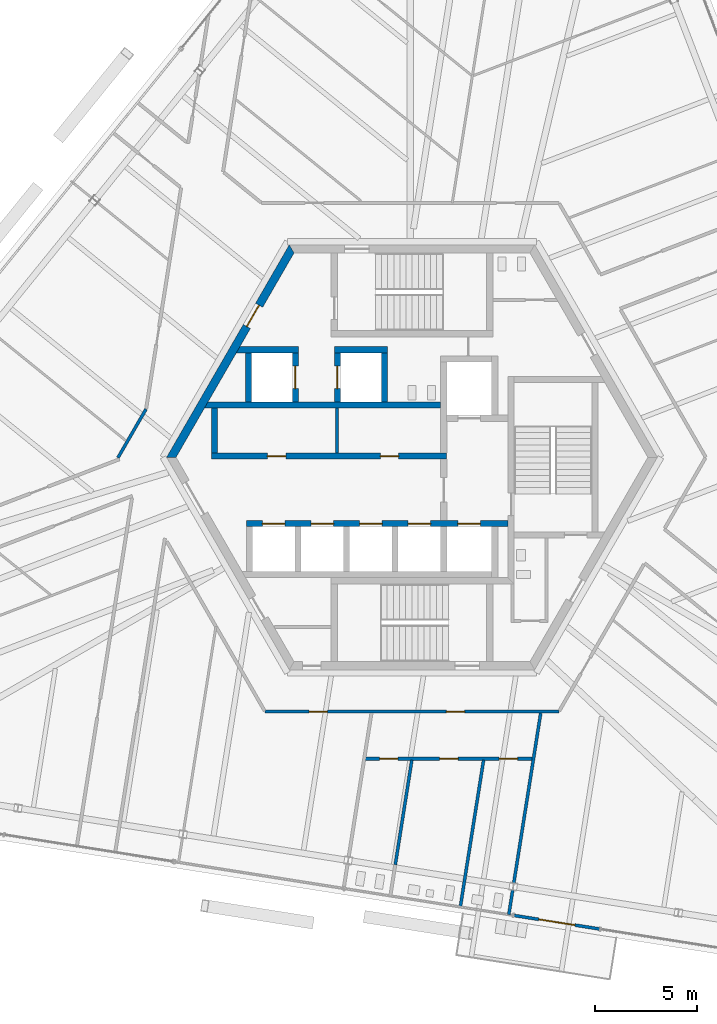
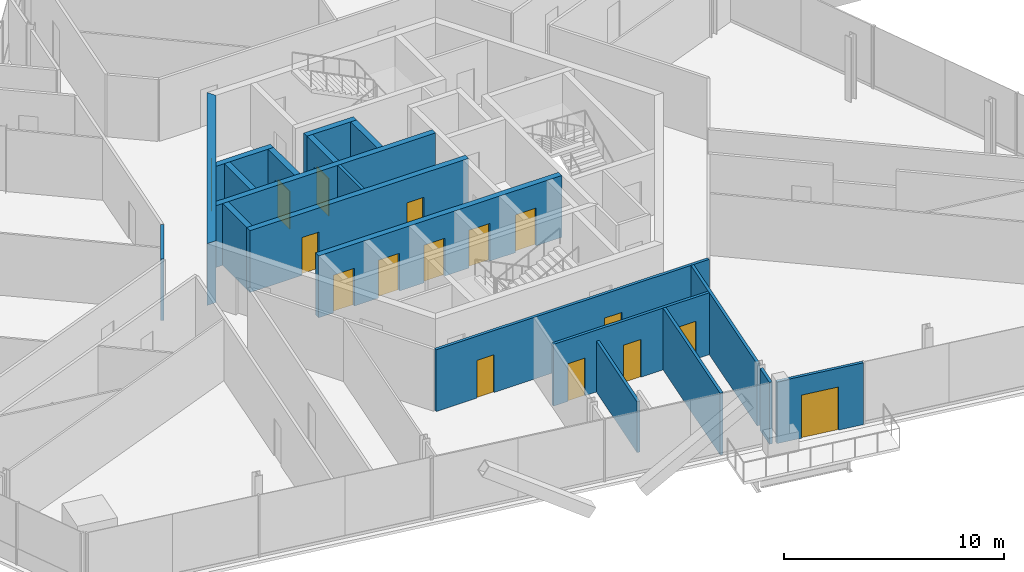
# One storey, part 11 of 18: 20 walls, 16 doors, 16 openings.
"""IFC4 building model written with IfcOpenShell, lengths in metres."""

from ifc_helpers import new_model, si_unit, direction, frame, frame_2d, origin, place, context, subcontext, project, spatial, polyline, rectangle, outline, extrude, source, transform, mapped, material, layer, layer_set, type_object, element, fill, save


model = new_model("IFC4")

# Units and contexts
model_context = context("Model", 3, precision=1e-05, world=origin(), true_north=direction((0.0, 1.0)))
body_context = subcontext(model_context, "Body", "Model", "MODEL_VIEW")
ifc_project = project(units=[si_unit("LENGTHUNIT", "METRE"), si_unit("AREAUNIT", "SQUARE_METRE"), si_unit("VOLUMEUNIT", "CUBIC_METRE"), si_unit("PLANEANGLEUNIT", "RADIAN"), si_unit("MASSUNIT", "GRAM", prefix="KILO")], contexts=[model_context])

# Site, building, storey
site_placement = place(None, origin())
site = spatial("IfcSite", under=ifc_project, at=site_placement, CompositionType="ELEMENT")
building_placement = place(site_placement, origin())
building = spatial("IfcBuilding", under=site, at=building_placement, Name="Triune Harvest Tower", CompositionType="ELEMENT")
storey_placement = place(building_placement, frame((0.0, 0.0, 156.89990234375)))
storey = spatial("IfcBuildingStorey", under=building, at=storey_placement, Name="L40", CompositionType="ELEMENT", Elevation=156.89990234375)

# Wall, openings, doors
ifc_material_1 = material(Name="Gypsum board on steel studs", Category="steel")
ifc_layer_1 = layer(ifc_material_1, 0.14990234375)
ifc_layer_set_1 = layer_set([ifc_layer_1], Name="Gypsum board on steel studs")
wall_type_1 = type_object("IfcWallType", Name="Fire Partition 150 mm", PredefinedType="PARTITIONING", material=ifc_layer_set_1)
wall_1_placement = place(storey_placement, frame((-2.3349609375, -14.7421875, 0.0), z_axis=(0.0, 0.0, 1.0), x_axis=(1.0, 0.0, 0.0)))
wall_1 = element("IfcWall", 1, at=wall_1_placement, inside=storey, type_object=wall_type_1, Name="Partition L40 024", PredefinedType="PARTITIONING", context=body_context, shape_type="SweptSolid", body=[
    extrude(rectangle(XDim=8.206787109375, YDim=0.14990234375, at=frame_2d((4.103515625, 0.0))), origin(), (0.0, 0.0, 1.0), 3.440185546875),
])
opening_1_placement = place(wall_1_placement, frame((0.75, 0.0, 0.0)))
opening_1 = element("IfcOpeningElement", 2, at=opening_1_placement, cuts=wall_1, Name="Opening L40-023", PredefinedType="OPENING", context=body_context, shape_type="SweptSolid", body=[
    extrude(rectangle(XDim=0.89990234375, YDim=2.10009765625, at=frame_2d((0.449951171875, 1.050048828125))), frame((0.0, 0.0849609375, 0.0), z_axis=(0.0, -1.0, 0.0), x_axis=(1.0, 0.0, 0.0)), (0.0, 0.0, 1.0), 0.169921875),
])
opening_2_placement = place(wall_1_placement, frame((3.688720703125, 0.0, 0.0)))
opening_2 = element("IfcOpeningElement", 3, at=opening_2_placement, cuts=wall_1, Name="Opening L40-024", PredefinedType="OPENING", context=body_context, shape_type="SweptSolid", body=[
    extrude(rectangle(XDim=0.89990234375, YDim=2.10009765625, at=frame_2d((0.449951171875, 1.050048828125))), frame((0.0, 0.0849609375, 0.0), z_axis=(0.0, -1.0, 0.0), x_axis=(1.0, 0.0, 0.0)), (0.0, 0.0, 1.0), 0.169921875),
])
opening_3_placement = place(wall_1_placement, frame((6.596923828125, 0.0, 0.0)))
opening_3 = element("IfcOpeningElement", 4, at=opening_3_placement, cuts=wall_1, Name="Opening L40-025", PredefinedType="OPENING", context=body_context, shape_type="SweptSolid", body=[
    extrude(rectangle(XDim=0.89990234375, YDim=2.10009765625, at=frame_2d((0.449951171875, 1.050048828125))), frame((0.0, 0.0849609375, 0.0), z_axis=(0.0, -1.0, 0.0), x_axis=(1.0, 0.0, 0.0)), (0.0, 0.0, 1.0), 0.169921875),
])
ifc_material_2 = material(Name="Timber and steel door set", Category="steel")
door_type_1 = type_object("IfcDoorType", Name="Single leaf door FD30 left hand 900 x 2100", OperationType="SINGLE_SWING_LEFT", PredefinedType="DOOR", material=ifc_material_2)
door_1_placement = place(opening_2_placement, origin())
door_1 = element("IfcDoor", 5, at=door_1_placement, inside=storey, type_object=door_type_1, Name="Door L40-024 Men's WC 40.24", OperationType="SINGLE_SWING_LEFT", OverallHeight=2.10009765625, OverallWidth=0.89990234375, PredefinedType="DOOR", context=body_context, shape_type="SweptSolid", body=[
    extrude(rectangle(XDim=0.89990234375, YDim=2.10009765625, at=frame_2d((0.449951171875, 1.050048828125))), frame((0.0, 0.02490234375, 0.0), z_axis=(0.0, -1.0, 0.0), x_axis=(1.0, 0.0, 0.0)), (0.0, 0.0, 1.0), 0.050048828125),
])
fill(opening_2, door_1)
door_2_placement = place(opening_3_placement, origin())
door_2 = element("IfcDoor", 6, at=door_2_placement, inside=storey, type_object=door_type_1, Name="Door L40-025 Accessible WC 40.25", OperationType="SINGLE_SWING_LEFT", OverallHeight=2.10009765625, OverallWidth=0.89990234375, PredefinedType="DOOR", context=body_context, shape_type="SweptSolid", body=[
    extrude(rectangle(XDim=0.89990234375, YDim=2.10009765625, at=frame_2d((0.449951171875, 1.050048828125))), frame((0.0, 0.02490234375, 0.0), z_axis=(0.0, -1.0, 0.0), x_axis=(1.0, 0.0, 0.0)), (0.0, 0.0, 1.0), 0.050048828125),
])
fill(opening_3, door_2)
ifc_material_3 = material(Name="Timber and steel door set", Category="steel")
door_type_2 = type_object("IfcDoorType", Name="Single leaf door FD30 right hand 900 x 2100", OperationType="SINGLE_SWING_RIGHT", PredefinedType="DOOR", material=ifc_material_3)
door_3_placement = place(opening_1_placement, origin())
door_3 = element("IfcDoor", 7, at=door_3_placement, inside=storey, type_object=door_type_2, Name="Door L40-023 Women's WC 40.23", OperationType="SINGLE_SWING_RIGHT", OverallHeight=2.10009765625, OverallWidth=0.89990234375, PredefinedType="DOOR", context=body_context, shape_type="SweptSolid", body=[
    extrude(rectangle(XDim=0.89990234375, YDim=2.10009765625, at=frame_2d((0.449951171875, 1.050048828125))), frame((0.0, 0.02490234375, 0.0), z_axis=(0.0, -1.0, 0.0), x_axis=(1.0, 0.0, 0.0)), (0.0, 0.0, 1.0), 0.050048828125),
])
fill(opening_1, door_3)

# Walls
wall_2_placement = place(storey_placement, frame((-14.380615234375, -0.023193359375, 0.0), z_axis=(0.0, 0.0, 1.0), x_axis=(0.50002270823, 0.866012292785, 0.0)))
element("IfcWall", 8, at=wall_2_placement, inside=storey, type_object=wall_type_1, Name="Partition L40 041", PredefinedType="PARTITIONING", context=body_context, shape_type="SweptSolid", body=[
    extrude(rectangle(XDim=2.744873046875, YDim=0.14990234375, at=frame_2d((1.37255859375, 0.0))), origin(), (0.0, 0.0, 1.0), 3.440185546875),
])
wall_3_placement = place(storey_placement, frame((4.9794921875, -20.820556640625, 0.0), z_axis=(0.0, 0.0, 1.0), x_axis=(0.156421554245, 0.987690385378, 0.0)))
element("IfcWall", 9, at=wall_3_placement, inside=storey, type_object=wall_type_1, Name="Partition L40 043", PredefinedType="PARTITIONING", context=body_context, shape_type="SweptSolid", body=[
    extrude(rectangle(XDim=8.41259765625, YDim=0.14990234375, at=frame_2d((4.206298828125, 0.0))), origin(), (0.0, 0.0, 1.0), 3.440185546875),
])
wall_4_placement = place(storey_placement, frame((2.364013671875, -21.9912109375, 0.0), z_axis=(0.0, 0.0, 1.0), x_axis=(0.156436823772, 0.987687967006, 0.0)))
element("IfcWall", 10, at=wall_4_placement, inside=storey, type_object=wall_type_1, Name="Partition L40 044", PredefinedType="PARTITIONING", context=body_context, shape_type="SweptSolid", body=[
    extrude(rectangle(XDim=7.26953125, YDim=0.14990234375, at=frame_2d((3.634765625, 0.0))), origin(), (0.0, 0.0, 1.0), 3.440185546875),
])
wall_5_placement = place(storey_placement, frame((-0.8173828125, -19.927001953125, 0.0), z_axis=(0.0, 0.0, 1.0), x_axis=(0.156444233428, 0.987686793385, 0.0)))
element("IfcWall", 11, at=wall_5_placement, inside=storey, type_object=wall_type_1, Name="Partition L40 045a", PredefinedType="PARTITIONING", context=body_context, shape_type="SweptSolid", body=[
    extrude(rectangle(XDim=5.179443359375, YDim=0.14990234375, at=frame_2d((2.58984375, 0.0))), origin(), (0.0, 0.0, 1.0), 2.827880859375),
])

# Wall, opening, door
ifc_material_4 = material(Name="Aluminium bronze anodised", Category="aluminium")
ifc_layer_2 = layer(ifc_material_4, 0.14990234375)
ifc_layer_set_2 = layer_set([ifc_layer_2], Name="Aluminium bronze anodised")
wall_type_2 = type_object("IfcWallType", Name="WW-2 balcony window wall", PredefinedType="ELEMENTEDWALL", material=ifc_layer_set_2)
wall_6_placement = place(storey_placement, frame((9.16748046875, -23.06884765625, 0.0), z_axis=(0.0, 0.0, 1.0), x_axis=(-0.987685937385, 0.156449637561, 0.0)))
wall_6 = element("IfcWall", 12, at=wall_6_placement, inside=storey, type_object=wall_type_2, Name="WW-2 B4-F5 L40.9", PredefinedType="ELEMENTEDWALL", context=body_context, shape_type="SweptSolid", body=[
    extrude(rectangle(XDim=4.22119140625, YDim=0.14990234375, at=frame_2d((2.110595703125, 0.0))), origin(), (0.0, 0.0, 1.0), 3.440185546875),
])
opening_4_placement = place(wall_6_placement, frame((1.21044921875, 0.0, 0.0)))
opening_4 = element("IfcOpeningElement", 13, at=opening_4_placement, cuts=wall_6, Name="Opening L40-E02", PredefinedType="OPENING", context=body_context, shape_type="SweptSolid", body=[
    extrude(rectangle(XDim=1.800048828125, YDim=2.39990234375, at=frame_2d((0.89990234375, 1.199951171875))), frame((0.0, 0.0849609375, 0.0), z_axis=(0.0, -1.0, 0.0), x_axis=(1.0, 0.0, 0.0)), (0.0, 0.0, 1.0), 0.169921875),
])
ifc_material_5 = material(Name="Glass", Category="glass")
door_type_3 = type_object("IfcDoorType", Name="DB-1 balcony door 1800 x 2400", OperationType="DOUBLE_DOOR_SINGLE_SWING", PredefinedType="DOOR", material=ifc_material_5)
door_4_placement = place(opening_4_placement, origin())
door_4 = element("IfcDoor", 14, at=door_4_placement, inside=storey, type_object=door_type_3, Name="Door L40-E02", OperationType="DOUBLE_DOOR_SINGLE_SWING", OverallHeight=2.39990234375, OverallWidth=1.800048828125, PredefinedType="DOOR", context=body_context, shape_type="SweptSolid", body=[
    extrude(rectangle(XDim=1.800048828125, YDim=2.39990234375, at=frame_2d((0.89990234375, 1.199951171875))), frame((0.0, 0.02490234375, 0.0), z_axis=(0.0, -1.0, 0.0), x_axis=(1.0, 0.0, 0.0)), (0.0, 0.0, 1.0), 0.050048828125),
])
fill(opening_4, door_4)

ifc_material_6 = material(Name="Concrete 70 MPa", Category="concrete")
ifc_layer_3 = layer(ifc_material_6, 0.39990234375)
ifc_layer_set_3 = layer_set([ifc_layer_3], Name="Concrete 70 MPa")
wall_type_3 = type_object("IfcWallType", Name="Core wall 400", PredefinedType="SHEAR", material=ifc_layer_set_3)
shared_shape_1 = source(origin(), body_context, "Body", "SweptSolid", [
    extrude(outline(polyline([(-0.115478515625, -0.199951171875), (11.884521484375, -0.199951171875), (11.653564453125, 0.199951171875), (0.115478515625, 0.199951171875), (-0.115478515625, -0.199951171875)])), origin(), (0.0, 0.0, 1.0), 3.440185546875),
])
wall_7_placement = place(storey_placement, frame((-5.884521484375, 10.1923828125, 0.0), z_axis=(0.0, 0.0, 1.0), x_axis=(-0.499996592174, -0.866027371285, 0.0)))
wall_7 = element("IfcWall", 15, at=wall_7_placement, inside=storey, type_object=wall_type_3, Name="Hexagon 2 wall", PredefinedType="SHEAR", context=body_context, shape_type="MappedRepresentation", body=[
    mapped(shared_shape_1, transform((0.0, 0.0, 0.0), scale=1.0)),
])
opening_5_placement = place(wall_7_placement, frame((3.1845703125, 0.0, 0.0)))
opening_5 = element("IfcOpeningElement", 16, at=opening_5_placement, cuts=wall_7, Name="Opening CD-SVP", PredefinedType="OPENING", context=body_context, shape_type="SweptSolid", body=[
    extrude(rectangle(XDim=1.199951171875, YDim=2.10009765625, at=frame_2d((0.60009765625, 1.050048828125))), frame((0.0, 0.2099609375, 0.0), z_axis=(0.0, -1.0, 0.0), x_axis=(1.0, 0.0, 0.0)), (0.0, 0.0, 1.0), 0.419921875),
])
ifc_material_7 = material(Name="Steel S235", Category="steel")
door_type_4 = type_object("IfcDoorType", Name="Service door 1200 FD120", OperationType="SINGLE_SWING_LEFT", PredefinedType="DOOR", material=ifc_material_7)
door_5_placement = place(opening_5_placement, frame((1.199951171875, 0.0, 0.0), z_axis=(0.0, 0.0, 1.0), x_axis=(-1.0, 0.0, 0.0)))
door_5 = element("IfcDoor", 17, at=door_5_placement, inside=storey, type_object=door_type_4, Name="Door CD-SVP", OperationType="SINGLE_SWING_RIGHT", OverallHeight=2.10009765625, OverallWidth=1.199951171875, PredefinedType="DOOR", context=body_context, shape_type="SweptSolid", body=[
    extrude(rectangle(XDim=1.199951171875, YDim=2.10009765625, at=frame_2d((0.60009765625, 1.050048828125))), frame((0.0, 0.02490234375, 0.0), z_axis=(0.0, -1.0, 0.0), x_axis=(1.0, 0.0, 0.0)), (0.0, 0.0, 1.0), 0.050048828125),
])
fill(opening_5, door_5)

# Wall, openings, doors
ifc_material_8 = material(Name="Concrete 70 MPa", Category="concrete")
ifc_layer_4 = layer(ifc_material_8, 0.300048828125)
ifc_layer_set_4 = layer_set([ifc_layer_4], Name="Concrete 70 MPa")
wall_type_4 = type_object("IfcWallType", Name="Core wall 300", PredefinedType="SHEAR", material=ifc_layer_set_4)
shared_shape_2 = source(origin(), body_context, "Body", "SweptSolid", [
    extrude(rectangle(XDim=11.5, YDim=0.300048828125, at=frame_2d((5.75, 0.0))), origin(), (0.0, 0.0, 1.0), 3.440185546875),
])
wall_8_placement = place(storey_placement, frame((-9.800048828125, 0.06005859375, 0.0), z_axis=(0.0, 0.0, 1.0), x_axis=(1.0, 0.0, 0.0)))
wall_8 = element("IfcWall", 18, at=wall_8_placement, inside=storey, type_object=wall_type_4, Name="North front wall", PredefinedType="SHEAR", context=body_context, shape_type="MappedRepresentation", body=[
    mapped(shared_shape_2, transform((0.0, 0.0, 0.0), scale=1.0)),
])
opening_6_placement = place(wall_8_placement, frame((2.7275390625, 0.0, 0.0)))
opening_6 = element("IfcOpeningElement", 19, at=opening_6_placement, cuts=wall_8, Name="Opening CD-RN1", PredefinedType="OPENING", context=body_context, shape_type="SweptSolid", body=[
    extrude(rectangle(XDim=0.89990234375, YDim=2.10009765625, at=frame_2d((0.449951171875, 1.050048828125))), frame((0.0, 0.16015625, 0.0), z_axis=(0.0, -1.0, 0.0), x_axis=(1.0, 0.0, 0.0)), (0.0, 0.0, 1.0), 0.320068359375),
])
opening_7_placement = place(wall_8_placement, frame((8.25244140625, 0.0, 0.0)))
opening_7 = element("IfcOpeningElement", 20, at=opening_7_placement, cuts=wall_8, Name="Opening CD-RN2", PredefinedType="OPENING", context=body_context, shape_type="SweptSolid", body=[
    extrude(rectangle(XDim=0.89990234375, YDim=2.10009765625, at=frame_2d((0.449951171875, 1.050048828125))), frame((0.0, 0.16015625, 0.0), z_axis=(0.0, -1.0, 0.0), x_axis=(1.0, 0.0, 0.0)), (0.0, 0.0, 1.0), 0.320068359375),
])
ifc_material_9 = material(Name="Steel S235", Category="steel")
door_type_5 = type_object("IfcDoorType", Name="Riser door 900 FD120", OperationType="SINGLE_SWING_LEFT", PredefinedType="DOOR", material=ifc_material_9)
door_6_placement = place(opening_6_placement, frame((0.89990234375, 0.0, 0.0), z_axis=(0.0, 0.0, 1.0), x_axis=(-1.0, 0.0, 0.0)))
door_6 = element("IfcDoor", 21, at=door_6_placement, inside=storey, type_object=door_type_5, Name="Door CD-RN1", OperationType="SINGLE_SWING_RIGHT", OverallHeight=2.10009765625, OverallWidth=0.89990234375, PredefinedType="DOOR", context=body_context, shape_type="SweptSolid", body=[
    extrude(rectangle(XDim=0.89990234375, YDim=2.10009765625, at=frame_2d((0.449951171875, 1.050048828125))), frame((0.0, 0.02490234375, 0.0), z_axis=(0.0, -1.0, 0.0), x_axis=(1.0, 0.0, 0.0)), (0.0, 0.0, 1.0), 0.050048828125),
])
fill(opening_6, door_6)
door_7_placement = place(opening_7_placement, frame((0.89990234375, 0.0, 0.0), z_axis=(0.0, 0.0, 1.0), x_axis=(-1.0, 0.0, 0.0)))
door_7 = element("IfcDoor", 22, at=door_7_placement, inside=storey, type_object=door_type_5, Name="Door CD-RN2", OperationType="SINGLE_SWING_RIGHT", OverallHeight=2.10009765625, OverallWidth=0.89990234375, PredefinedType="DOOR", context=body_context, shape_type="SweptSolid", body=[
    extrude(rectangle(XDim=0.89990234375, YDim=2.10009765625, at=frame_2d((0.449951171875, 1.050048828125))), frame((0.0, 0.02490234375, 0.0), z_axis=(0.0, -1.0, 0.0), x_axis=(1.0, 0.0, 0.0)), (0.0, 0.0, 1.0), 0.050048828125),
])
fill(opening_7, door_7)

# Wall
shared_shape_3 = source(origin(), body_context, "Body", "SweptSolid", [
    extrude(outline(polyline([(11.199951171875, -0.14990234375), (-0.34912109375, -0.14990234375), (-0.17578125, 0.14990234375), (11.199951171875, 0.14990234375), (11.199951171875, -0.14990234375)])), origin(), (0.0, 0.0, 1.0), 3.440185546875),
])
wall_9_placement = place(storey_placement, frame((-9.800048828125, 2.56005859375, 0.0), z_axis=(0.0, 0.0, 1.0), x_axis=(1.0, 0.0, 0.0)))
element("IfcWall", 23, at=wall_9_placement, inside=storey, type_object=wall_type_4, Name="North back wall", PredefinedType="SHEAR", context=body_context, shape_type="MappedRepresentation", body=[
    mapped(shared_shape_3, transform((0.0, 0.0, 0.0), scale=1.0)),
])

# Wall, openings, doors
shared_shape_4 = source(origin(), body_context, "Body", "SweptSolid", [
    extrude(rectangle(XDim=12.800048828125, YDim=0.300048828125, at=frame_2d((6.39990234375, 0.0))), origin(), (0.0, 0.0, 1.0), 3.440185546875),
])
wall_10_placement = place(storey_placement, frame((-8.10009765625, -3.239990234375, 0.0), z_axis=(0.0, 0.0, 1.0), x_axis=(1.0, 0.0, 0.0)))
wall_10 = element("IfcWall", 24, at=wall_10_placement, inside=storey, type_object=wall_type_4, Name="South front wall", PredefinedType="SHEAR", context=body_context, shape_type="MappedRepresentation", body=[
    mapped(shared_shape_4, transform((0.0, 0.0, 0.0), scale=1.0)),
])
opening_8_placement = place(wall_10_placement, frame((0.78759765625, 0.0, 0.0)))
opening_8 = element("IfcOpeningElement", 25, at=opening_8_placement, cuts=wall_10, Name="Opening LD-HR1-40", PredefinedType="OPENING", context=body_context, shape_type="SweptSolid", body=[
    extrude(rectangle(XDim=1.10009765625, YDim=2.10009765625, at=frame_2d((0.550048828125, 1.050048828125))), frame((0.0, 0.16015625, 0.0), z_axis=(0.0, -1.0, 0.0), x_axis=(1.0, 0.0, 0.0)), (0.0, 0.0, 1.0), 0.320068359375),
])
opening_9_placement = place(wall_10_placement, frame((3.16259765625, 0.0, 0.0)))
opening_9 = element("IfcOpeningElement", 26, at=opening_9_placement, cuts=wall_10, Name="Opening LD-HR2-40", PredefinedType="OPENING", context=body_context, shape_type="SweptSolid", body=[
    extrude(rectangle(XDim=1.10009765625, YDim=2.10009765625, at=frame_2d((0.550048828125, 1.050048828125))), frame((0.0, 0.16015625, 0.0), z_axis=(0.0, -1.0, 0.0), x_axis=(1.0, 0.0, 0.0)), (0.0, 0.0, 1.0), 0.320068359375),
])
opening_10_placement = place(wall_10_placement, frame((5.53759765625, 0.0, 0.0)))
opening_10 = element("IfcOpeningElement", 27, at=opening_10_placement, cuts=wall_10, Name="Opening LD-HR3-40", PredefinedType="OPENING", context=body_context, shape_type="SweptSolid", body=[
    extrude(rectangle(XDim=1.10009765625, YDim=2.10009765625, at=frame_2d((0.550048828125, 1.050048828125))), frame((0.0, 0.16015625, 0.0), z_axis=(0.0, -1.0, 0.0), x_axis=(1.0, 0.0, 0.0)), (0.0, 0.0, 1.0), 0.320068359375),
])
opening_11_placement = place(wall_10_placement, frame((7.91259765625, 0.0, 0.0)))
opening_11 = element("IfcOpeningElement", 28, at=opening_11_placement, cuts=wall_10, Name="Opening LD-HR4-40", PredefinedType="OPENING", context=body_context, shape_type="SweptSolid", body=[
    extrude(rectangle(XDim=1.10009765625, YDim=2.10009765625, at=frame_2d((0.550048828125, 1.050048828125))), frame((0.0, 0.16015625, 0.0), z_axis=(0.0, -1.0, 0.0), x_axis=(1.0, 0.0, 0.0)), (0.0, 0.0, 1.0), 0.320068359375),
])
opening_12_placement = place(wall_10_placement, frame((10.35009765625, 0.0, 0.0)))
opening_12 = element("IfcOpeningElement", 29, at=opening_12_placement, cuts=wall_10, Name="Opening LD-FF2-40", PredefinedType="OPENING", context=body_context, shape_type="SweptSolid", body=[
    extrude(rectangle(XDim=1.10009765625, YDim=2.10009765625, at=frame_2d((0.550048828125, 1.050048828125))), frame((0.0, 0.16015625, 0.0), z_axis=(0.0, -1.0, 0.0), x_axis=(1.0, 0.0, 0.0)), (0.0, 0.0, 1.0), 0.320068359375),
])
ifc_material_10 = material(Name="Stainless steel AISI 304", Category="steel")
door_type_6 = type_object("IfcDoorType", Name="Landing door 1100 x 2100", OperationType="DOUBLE_DOOR_SLIDING", PredefinedType="DOOR", material=ifc_material_10)
door_8_placement = place(opening_8_placement, origin())
door_8 = element("IfcDoor", 30, at=door_8_placement, inside=storey, type_object=door_type_6, Name="Door LD-HR1-40", OperationType="DOUBLE_DOOR_SLIDING", OverallHeight=2.10009765625, OverallWidth=1.10009765625, PredefinedType="DOOR", context=body_context, shape_type="SweptSolid", body=[
    extrude(rectangle(XDim=1.10009765625, YDim=2.10009765625, at=frame_2d((0.550048828125, 1.050048828125))), frame((0.0, 0.02490234375, 0.0), z_axis=(0.0, -1.0, 0.0), x_axis=(1.0, 0.0, 0.0)), (0.0, 0.0, 1.0), 0.050048828125),
])
fill(opening_8, door_8)
door_9_placement = place(opening_9_placement, origin())
door_9 = element("IfcDoor", 31, at=door_9_placement, inside=storey, type_object=door_type_6, Name="Door LD-HR2-40", OperationType="DOUBLE_DOOR_SLIDING", OverallHeight=2.10009765625, OverallWidth=1.10009765625, PredefinedType="DOOR", context=body_context, shape_type="SweptSolid", body=[
    extrude(rectangle(XDim=1.10009765625, YDim=2.10009765625, at=frame_2d((0.550048828125, 1.050048828125))), frame((0.0, 0.02490234375, 0.0), z_axis=(0.0, -1.0, 0.0), x_axis=(1.0, 0.0, 0.0)), (0.0, 0.0, 1.0), 0.050048828125),
])
fill(opening_9, door_9)
door_10_placement = place(opening_10_placement, origin())
door_10 = element("IfcDoor", 32, at=door_10_placement, inside=storey, type_object=door_type_6, Name="Door LD-HR3-40", OperationType="DOUBLE_DOOR_SLIDING", OverallHeight=2.10009765625, OverallWidth=1.10009765625, PredefinedType="DOOR", context=body_context, shape_type="SweptSolid", body=[
    extrude(rectangle(XDim=1.10009765625, YDim=2.10009765625, at=frame_2d((0.550048828125, 1.050048828125))), frame((0.0, 0.02490234375, 0.0), z_axis=(0.0, -1.0, 0.0), x_axis=(1.0, 0.0, 0.0)), (0.0, 0.0, 1.0), 0.050048828125),
])
fill(opening_10, door_10)
door_11_placement = place(opening_11_placement, origin())
door_11 = element("IfcDoor", 33, at=door_11_placement, inside=storey, type_object=door_type_6, Name="Door LD-HR4-40", OperationType="DOUBLE_DOOR_SLIDING", OverallHeight=2.10009765625, OverallWidth=1.10009765625, PredefinedType="DOOR", context=body_context, shape_type="SweptSolid", body=[
    extrude(rectangle(XDim=1.10009765625, YDim=2.10009765625, at=frame_2d((0.550048828125, 1.050048828125))), frame((0.0, 0.02490234375, 0.0), z_axis=(0.0, -1.0, 0.0), x_axis=(1.0, 0.0, 0.0)), (0.0, 0.0, 1.0), 0.050048828125),
])
fill(opening_11, door_11)
door_12_placement = place(opening_12_placement, origin())
door_12 = element("IfcDoor", 34, at=door_12_placement, inside=storey, type_object=door_type_6, Name="Door LD-FF2-40", OperationType="DOUBLE_DOOR_SLIDING", OverallHeight=2.10009765625, OverallWidth=1.10009765625, PredefinedType="DOOR", context=body_context, shape_type="SweptSolid", body=[
    extrude(rectangle(XDim=1.10009765625, YDim=2.10009765625, at=frame_2d((0.550048828125, 1.050048828125))), frame((0.0, 0.02490234375, 0.0), z_axis=(0.0, -1.0, 0.0), x_axis=(1.0, 0.0, 0.0)), (0.0, 0.0, 1.0), 0.050048828125),
])
fill(opening_12, door_12)

# Walls
shared_shape_5 = source(origin(), body_context, "Body", "SweptSolid", [
    extrude(rectangle(XDim=2.199951171875, YDim=0.300048828125, at=frame_2d((1.10009765625, 0.0))), origin(), (0.0, 0.0, 1.0), 3.440185546875),
])
wall_11_placement = place(storey_placement, frame((-9.64990234375, 0.2099609375, 0.0), z_axis=(0.0, 0.0, 1.0), x_axis=(0.0, 1.0, 0.0)))
element("IfcWall", 35, at=wall_11_placement, inside=storey, type_object=wall_type_4, Name="North end west wall", PredefinedType="SHEAR", context=body_context, shape_type="MappedRepresentation", body=[
    mapped(shared_shape_5, transform((0.0, 0.0, 0.0), scale=1.0)),
])
shared_shape_6 = source(origin(), body_context, "Body", "SweptSolid", [
    extrude(outline(polyline([(2.60009765625, -0.14990234375), (-0.440185546875, -0.14990234375), (-0.26708984375, 0.14990234375), (2.60009765625, 0.14990234375), (2.60009765625, -0.14990234375)])), origin(), (0.0, 0.0, 1.0), 3.440185546875),
])
wall_12_placement = place(storey_placement, frame((-8.14990234375, 5.260009765625, 0.0), z_axis=(0.0, 0.0, 1.0), x_axis=(1.0, 0.0, 0.0)))
element("IfcWall", 36, at=wall_12_placement, inside=storey, type_object=wall_type_4, Name="Sv1 north wall", PredefinedType="SHEAR", context=body_context, shape_type="MappedRepresentation", body=[
    mapped(shared_shape_6, transform((0.0, 0.0, 0.0), scale=1.0)),
])
shared_shape_7 = source(origin(), body_context, "Body", "SweptSolid", [
    extrude(rectangle(XDim=2.400146484375, YDim=0.300048828125, at=frame_2d((1.2001953125, 0.0))), origin(), (0.0, 0.0, 1.0), 3.440185546875),
])
wall_13_placement = place(storey_placement, frame((-8.0, 2.7099609375, 0.0), z_axis=(0.0, 0.0, 1.0), x_axis=(0.0, 1.0, 0.0)))
element("IfcWall", 37, at=wall_13_placement, inside=storey, type_object=wall_type_4, Name="Sv1 west wall", PredefinedType="SHEAR", context=body_context, shape_type="MappedRepresentation", body=[
    mapped(shared_shape_7, transform((0.0, 0.0, 0.0), scale=1.0)),
])

# Wall, opening, door
wall_14_placement = place(storey_placement, frame((-5.699951171875, 2.7099609375, 0.0), z_axis=(0.0, 0.0, 1.0), x_axis=(0.0, 1.0, 0.0)))
wall_14 = element("IfcWall", 38, at=wall_14_placement, inside=storey, type_object=wall_type_4, Name="Sv1 east wall", PredefinedType="SHEAR", context=body_context, shape_type="MappedRepresentation", body=[
    mapped(shared_shape_7, transform((0.0, 0.0, 0.0), scale=1.0)),
])
opening_13_placement = place(wall_14_placement, frame((0.64990234375, 0.0, 0.0)))
opening_13 = element("IfcOpeningElement", 39, at=opening_13_placement, cuts=wall_14, Name="Opening LD-SV1-40", PredefinedType="OPENING", context=body_context, shape_type="SweptSolid", body=[
    extrude(rectangle(XDim=1.10009765625, YDim=2.10009765625, at=frame_2d((0.550048828125, 1.050048828125))), frame((0.0, 0.16015625, 0.0), z_axis=(0.0, -1.0, 0.0), x_axis=(1.0, 0.0, 0.0)), (0.0, 0.0, 1.0), 0.320068359375),
])
door_13_placement = place(opening_13_placement, origin())
door_13 = element("IfcDoor", 40, at=door_13_placement, inside=storey, type_object=door_type_6, Name="Door LD-SV1-40", OperationType="DOUBLE_DOOR_SLIDING", OverallHeight=2.10009765625, OverallWidth=1.10009765625, PredefinedType="DOOR", context=body_context, shape_type="SweptSolid", body=[
    extrude(rectangle(XDim=1.10009765625, YDim=2.10009765625, at=frame_2d((0.550048828125, 1.050048828125))), frame((0.0, 0.02490234375, 0.0), z_axis=(0.0, -1.0, 0.0), x_axis=(1.0, 0.0, 0.0)), (0.0, 0.0, 1.0), 0.050048828125),
])
fill(opening_13, door_13)

wall_15_placement = place(storey_placement, frame((-3.64990234375, 2.7099609375, 0.0), z_axis=(0.0, 0.0, 1.0), x_axis=(0.0, 1.0, 0.0)))
wall_15 = element("IfcWall", 41, at=wall_15_placement, inside=storey, type_object=wall_type_4, Name="Sv2 west wall", PredefinedType="SHEAR", context=body_context, shape_type="MappedRepresentation", body=[
    mapped(shared_shape_7, transform((0.0, 0.0, 0.0), scale=1.0)),
])
opening_14_placement = place(wall_15_placement, frame((0.64990234375, 0.0, 0.0)))
opening_14 = element("IfcOpeningElement", 42, at=opening_14_placement, cuts=wall_15, Name="Opening LD-SV2-40", PredefinedType="OPENING", context=body_context, shape_type="SweptSolid", body=[
    extrude(rectangle(XDim=1.10009765625, YDim=2.10009765625, at=frame_2d((0.550048828125, 1.050048828125))), frame((0.0, 0.16015625, 0.0), z_axis=(0.0, -1.0, 0.0), x_axis=(1.0, 0.0, 0.0)), (0.0, 0.0, 1.0), 0.320068359375),
])
door_14_placement = place(opening_14_placement, origin())
door_14 = element("IfcDoor", 43, at=door_14_placement, inside=storey, type_object=door_type_6, Name="Door LD-SV2-40", OperationType="DOUBLE_DOOR_SLIDING", OverallHeight=2.10009765625, OverallWidth=1.10009765625, PredefinedType="DOOR", context=body_context, shape_type="SweptSolid", body=[
    extrude(rectangle(XDim=1.10009765625, YDim=2.10009765625, at=frame_2d((0.550048828125, 1.050048828125))), frame((0.0, 0.02490234375, 0.0), z_axis=(0.0, -1.0, 0.0), x_axis=(1.0, 0.0, 0.0)), (0.0, 0.0, 1.0), 0.050048828125),
])
fill(opening_14, door_14)

# Walls
wall_16_placement = place(storey_placement, frame((-1.35009765625, 2.7099609375, 0.0), z_axis=(0.0, 0.0, 1.0), x_axis=(0.0, 1.0, 0.0)))
element("IfcWall", 44, at=wall_16_placement, inside=storey, type_object=wall_type_4, Name="Sv2 east wall", PredefinedType="SHEAR", context=body_context, shape_type="MappedRepresentation", body=[
    mapped(shared_shape_7, transform((0.0, 0.0, 0.0), scale=1.0)),
])
shared_shape_8 = source(origin(), body_context, "Body", "SweptSolid", [
    extrude(rectangle(XDim=2.60009765625, YDim=0.300048828125, at=frame_2d((1.300048828125, 0.0))), origin(), (0.0, 0.0, 1.0), 3.440185546875),
])
wall_17_placement = place(storey_placement, frame((-3.800048828125, 5.260009765625, 0.0), z_axis=(0.0, 0.0, 1.0), x_axis=(1.0, 0.0, 0.0)))
element("IfcWall", 45, at=wall_17_placement, inside=storey, type_object=wall_type_4, Name="Sv2 north wall", PredefinedType="SHEAR", context=body_context, shape_type="MappedRepresentation", body=[
    mapped(shared_shape_8, transform((0.0, 0.0, 0.0), scale=1.0)),
])
ifc_material_11 = material(Name="Concrete masonry unit", Category="masonry")
ifc_layer_5 = layer(ifc_material_11, 0.14990234375)
ifc_layer_set_5 = layer_set([ifc_layer_5], Name="Concrete masonry unit")
wall_type_5 = type_object("IfcWallType", Name="Block partition 150", PredefinedType="PARTITIONING", material=ifc_layer_set_5)
shared_shape_9 = source(origin(), body_context, "Body", "SweptSolid", [
    extrude(rectangle(XDim=2.199951171875, YDim=0.14990234375, at=frame_2d((1.10009765625, 0.0))), origin(), (0.0, 0.0, 1.0), 3.440185546875),
])
wall_18_placement = place(storey_placement, frame((-3.669921875, 0.2099609375, 0.0), z_axis=(0.0, 0.0, 1.0), x_axis=(0.0, 1.0, 0.0)))
element("IfcWall", 46, at=wall_18_placement, inside=storey, type_object=wall_type_5, Name="Row n part 1 wall", PredefinedType="PARTITIONING", context=body_context, shape_type="MappedRepresentation", body=[
    mapped(shared_shape_9, transform((0.0, 0.0, 0.0), scale=1.0)),
])

# Wall, openings, doors
shared_shape_10 = source(origin(), body_context, "Body", "SweptSolid", [
    extrude(rectangle(XDim=14.3671875, YDim=0.14990234375, at=frame_2d((7.18359375, 0.0))), origin(), (0.0, 0.0, 1.0), 3.440185546875),
])
wall_19_placement = place(storey_placement, frame((-7.18359375, -12.4423828125, 0.0), z_axis=(0.0, 0.0, 1.0), x_axis=(1.0, 0.0, 0.0)))
wall_19 = element("IfcWall", 47, at=wall_19_placement, inside=storey, type_object=wall_type_1, Name="Partition L40 025", PredefinedType="PARTITIONING", context=body_context, shape_type="MappedRepresentation", body=[
    mapped(shared_shape_10, transform((0.0, 0.0, 0.0), scale=1.0)),
])
opening_15_placement = place(wall_19_placement, frame((2.14990234375, 0.0, 0.0)))
opening_15 = element("IfcOpeningElement", 48, at=opening_15_placement, cuts=wall_19, Name="Opening L40-021", PredefinedType="OPENING", context=body_context, shape_type="SweptSolid", body=[
    extrude(rectangle(XDim=0.89990234375, YDim=2.10009765625, at=frame_2d((0.449951171875, 1.050048828125))), frame((0.0, 0.0849609375, 0.0), z_axis=(0.0, -1.0, 0.0), x_axis=(1.0, 0.0, 0.0)), (0.0, 0.0, 1.0), 0.169921875),
])
opening_16_placement = place(wall_19_placement, frame((8.863037109375, 0.0, 0.0)))
opening_16 = element("IfcOpeningElement", 49, at=opening_16_placement, cuts=wall_19, Name="Opening L40-022", PredefinedType="OPENING", context=body_context, shape_type="SweptSolid", body=[
    extrude(rectangle(XDim=0.89990234375, YDim=2.10009765625, at=frame_2d((0.449951171875, 1.050048828125))), frame((0.0, 0.0849609375, 0.0), z_axis=(0.0, -1.0, 0.0), x_axis=(1.0, 0.0, 0.0)), (0.0, 0.0, 1.0), 0.169921875),
])
door_15_placement = place(opening_16_placement, origin())
door_15 = element("IfcDoor", 50, at=door_15_placement, inside=storey, type_object=door_type_1, Name="Door L40-022 WC lobby 40.22", OperationType="SINGLE_SWING_LEFT", OverallHeight=2.10009765625, OverallWidth=0.89990234375, PredefinedType="DOOR", context=body_context, shape_type="SweptSolid", body=[
    extrude(rectangle(XDim=0.89990234375, YDim=2.10009765625, at=frame_2d((0.449951171875, 1.050048828125))), frame((0.0, 0.02490234375, 0.0), z_axis=(0.0, -1.0, 0.0), x_axis=(1.0, 0.0, 0.0)), (0.0, 0.0, 1.0), 0.050048828125),
])
fill(opening_16, door_15)
door_16_placement = place(opening_15_placement, origin())
door_16 = element("IfcDoor", 51, at=door_16_placement, inside=storey, type_object=door_type_2, Name="Door L40-021 Open Office 40.21", OperationType="SINGLE_SWING_RIGHT", OverallHeight=2.10009765625, OverallWidth=0.89990234375, PredefinedType="DOOR", context=body_context, shape_type="SweptSolid", body=[
    extrude(rectangle(XDim=0.89990234375, YDim=2.10009765625, at=frame_2d((0.449951171875, 1.050048828125))), frame((0.0, 0.02490234375, 0.0), z_axis=(0.0, -1.0, 0.0), x_axis=(1.0, 0.0, 0.0)), (0.0, 0.0, 1.0), 0.050048828125),
])
fill(opening_15, door_16)

# Wall
shared_shape_11 = source(origin(), body_context, "Body", "SweptSolid", [
    extrude(rectangle(XDim=1.212158203125, YDim=0.14990234375, at=frame_2d((0.60595703125, 0.0))), origin(), (0.0, 0.0, 1.0), 3.440185546875),
])
wall_20_placement = place(storey_placement, frame((4.734619140625, -22.36669921875, 0.0), z_axis=(0.0, 0.0, 1.0), x_axis=(0.156293529004, 0.987710652363, 0.0)))
element("IfcWall", 52, at=wall_20_placement, inside=storey, type_object=wall_type_1, Name="Partition L40 042", PredefinedType="PARTITIONING", context=body_context, shape_type="MappedRepresentation", body=[
    mapped(shared_shape_11, transform((0.0, 0.0, 0.0), scale=1.0)),
])

save(model, "model.ifc")
